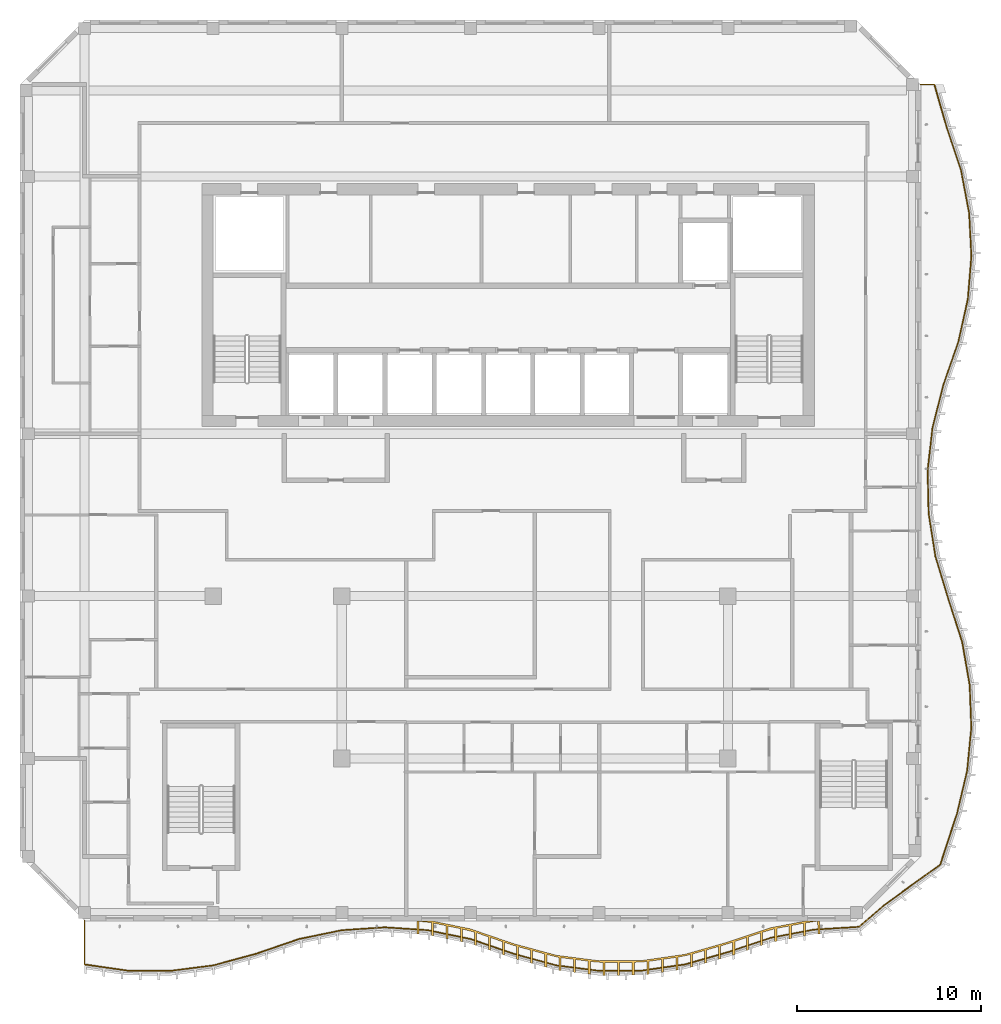
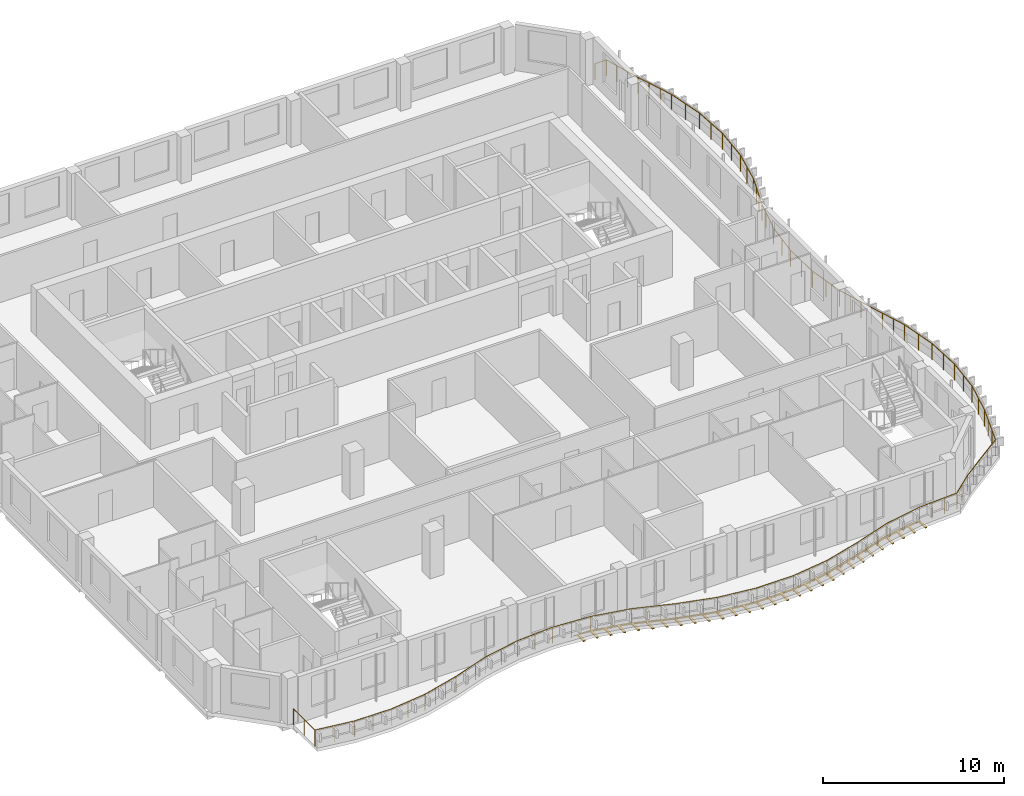
# One storey, part 14 of 17: 1 railing, 1 shading device.
"""IFC4 building model written with IfcOpenShell, lengths in metres."""

import ifcopenshell
import ifcopenshell.guid

model = None  # the IFC model being written
_history = None  # IfcOwnerHistory: only IFC2X3 demands one
_inside = {}  # id of a spatial element -> (the spatial element, [elements in it])
_under = {}  # id of a project, library or spatial element -> (it, [spatial elements below it])
_declared = {}  # id of a project -> (the project, [libraries it declares])
_typed = {}  # id of a type object -> (the type object, [elements of that type])
_made_of = {}  # id of a material, layer set ... -> (it, [elements and type objects made of it])


def new_model(schema):
    """Start an empty IFC model of exactly this schema.

    Asked for "IFC4X3", IfcOpenShell would pick the latest addendum, in which some entities
    have other attributes; the version numbers below select the first issue.
    IFC2X3 requires an IfcOwnerHistory on every rooted entity: one is made here for all.
    """
    global model, _history
    if schema == "IFC4X3":
        model = ifcopenshell.file(schema_version=(4, 3, 0, 0))
    else:
        model = ifcopenshell.file(schema=schema)
    _inside.clear()
    _under.clear()
    _declared.clear()
    _typed.clear()
    _made_of.clear()
    _history = None
    if model.schema == "IFC2X3":
        org = make("IfcOrganization", Name="unknown")
        user = make(
            "IfcPersonAndOrganization",
            ThePerson=make("IfcPerson", FamilyName="unknown"),
            TheOrganization=org,
        )
        app = make(
            "IfcApplication",
            ApplicationDeveloper=org,
            Version="unknown",
            ApplicationFullName="unknown",
            ApplicationIdentifier="unknown",
        )
        _history = make(
            "IfcOwnerHistory",
            OwningUser=user,
            OwningApplication=app,
            ChangeAction="ADDED",
            CreationDate=0,
        )
    return model


def make(cls, **values):
    """One entity of the class cls with the attributes given. An attribute that is None is left unset."""
    return model.create_entity(
        cls, **{name: value for name, value in values.items() if value is not None}
    )


def rooted(cls, **values):
    """An entity with a GlobalId (a new one), such as an element, a storey or a relation."""
    return make(cls, GlobalId=ifcopenshell.guid.new(), OwnerHistory=_history, **values)


def si_unit(unit_type, name, prefix=None):
    """IfcSIUnit, for example si_unit("LENGTHUNIT", "METRE", prefix="MILLI")."""
    return make("IfcSIUnit", UnitType=unit_type, Prefix=prefix, Name=name)


def assignment(units):
    """IfcUnitAssignment: the units of a project."""
    return None if units is None else make("IfcUnitAssignment", Units=units)


def point(xyz):
    """IfcCartesianPoint."""
    return None if xyz is None else make("IfcCartesianPoint", Coordinates=xyz)


def direction(xyz):
    """IfcDirection."""
    return None if xyz is None else make("IfcDirection", DirectionRatios=xyz)


def frame(location, z_axis=None, x_axis=None):
    """IfcAxis2Placement3D, a coordinate frame: its origin and axes. An axis left out is left unset."""
    return make(
        "IfcAxis2Placement3D",
        Location=point(location),
        Axis=direction(z_axis),
        RefDirection=direction(x_axis),
    )


def frame_2d(location, x_axis=None):
    """IfcAxis2Placement2D, a coordinate frame in the plane: its origin and x axis."""
    return make(
        "IfcAxis2Placement2D", Location=point(location), RefDirection=direction(x_axis)
    )


def origin():
    """The frame at (0, 0, 0) with its axes left unset."""
    return frame((0.0, 0.0, 0.0))


def origin_2d():
    """The frame at (0, 0) in the plane with its x axis left unset."""
    return frame_2d((0.0, 0.0))


def place(relative_to, where):
    """IfcLocalPlacement: puts the frame where relative to a parent placement (None: the world)."""
    return make(
        "IfcLocalPlacement", PlacementRelTo=relative_to, RelativePlacement=where
    )


def context(
    kind, dimensions, precision=None, world=None, true_north=None, identifier=None
):
    """IfcGeometricRepresentationContext, for example the 3D "Model" context."""
    return make(
        "IfcGeometricRepresentationContext",
        ContextIdentifier=identifier,
        ContextType=kind,
        CoordinateSpaceDimension=dimensions,
        Precision=precision,
        WorldCoordinateSystem=world,
        TrueNorth=true_north,
    )


def subcontext(parent, identifier, kind, view, scale=None):
    """IfcGeometricRepresentationSubContext, for example "Body" below "Model"."""
    return make(
        "IfcGeometricRepresentationSubContext",
        ContextIdentifier=identifier,
        ContextType=kind,
        ParentContext=parent,
        TargetScale=scale,
        TargetView=view,
    )


def project(units=None, contexts=None):
    """IfcProject with its units and contexts."""
    return rooted(
        "IfcProject",
        Name="project",
        RepresentationContexts=contexts,
        UnitsInContext=assignment(units),
    )


def spatial(cls, under=None, at=None, **own):
    """A site, building, storey or space (cls), placed at a placement, below another one or the project."""
    s = rooted(cls, ObjectPlacement=at, **own)
    if under is not None:
        _under.setdefault(under.id(), (under, []))[1].append(s)
    return s


def polyline(points):
    """IfcPolyline through the points."""
    return make("IfcPolyline", Points=[point(p) for p in points])


def profile(cls, at=None, kind="AREA", **sizes):
    """A parametric profile (cls). Its sizes go by their IFC names, for example OverallWidth=200.0."""
    return make(cls, ProfileType=kind, Position=at, **sizes)


def circle(**sizes):
    """IfcCircleProfileDef."""
    return profile("IfcCircleProfileDef", **sizes)


def outline(outer, holes=None, kind="AREA"):
    """IfcArbitraryClosedProfileDef: a profile drawn as a closed curve; with holes, ...WithVoids."""
    if holes is None:
        return make("IfcArbitraryClosedProfileDef", ProfileType=kind, OuterCurve=outer)
    return make(
        "IfcArbitraryProfileDefWithVoids",
        ProfileType=kind,
        OuterCurve=outer,
        InnerCurves=holes,
    )


def extrude(swept, where, along, depth):
    """IfcExtrudedAreaSolid: the profile swept, set in the frame where, extruded along a direction by depth."""
    return make(
        "IfcExtrudedAreaSolid",
        SweptArea=swept,
        Position=where,
        ExtrudedDirection=direction(along),
        Depth=depth,
    )


def shape(context_of_items, identifier, shape_type, items):
    """IfcShapeRepresentation: the items that make up one representation, for example the "Body"."""
    return make(
        "IfcShapeRepresentation",
        ContextOfItems=context_of_items,
        RepresentationIdentifier=identifier,
        RepresentationType=shape_type,
        Items=items,
    )


def source(mapping_origin, context_of_items, identifier, shape_type, items):
    """IfcRepresentationMap: a shape defined once, which mapped items show again and again."""
    return make(
        "IfcRepresentationMap",
        MappingOrigin=mapping_origin,
        MappedRepresentation=shape(context_of_items, identifier, shape_type, items),
    )


def transform(
    local_origin,
    x_axis=None,
    y_axis=None,
    z_axis=None,
    scale=None,
    scale2=None,
    scale3=None,
    uniform=True,
):
    """IfcCartesianTransformationOperator3D, or its non-uniform kind. x_axis, y_axis, z_axis: its Axis1, 2, 3."""
    if uniform:
        return make(
            "IfcCartesianTransformationOperator3D",
            Axis1=direction(x_axis),
            Axis2=direction(y_axis),
            LocalOrigin=point(local_origin),
            Scale=scale,
            Axis3=direction(z_axis),
        )
    return make(
        "IfcCartesianTransformationOperator3DnonUniform",
        Axis1=direction(x_axis),
        Axis2=direction(y_axis),
        LocalOrigin=point(local_origin),
        Scale=scale,
        Axis3=direction(z_axis),
        Scale2=scale2,
        Scale3=scale3,
    )


def mapped(mapping_source, mapping_target):
    """IfcMappedItem: shows the shape of a source again, moved by a transform."""
    return make(
        "IfcMappedItem", MappingSource=mapping_source, MappingTarget=mapping_target
    )


def material(Name=None, Category=None):
    """IfcMaterial."""
    return make("IfcMaterial", Name=Name, Category=Category)


def layer(
    of_material, thickness, ventilated=None, Name=None, Category=None, Priority=None
):
    """IfcMaterialLayer: one layer of a wall or slab, of a material (None: an air gap)."""
    return make(
        "IfcMaterialLayer",
        Material=of_material,
        LayerThickness=thickness,
        IsVentilated=ventilated,
        Name=Name,
        Category=Category,
        Priority=Priority,
    )


def layer_set(layers, Name=None):
    """IfcMaterialLayerSet."""
    return make("IfcMaterialLayerSet", MaterialLayers=layers, LayerSetName=Name)


def made_of(thing, what):
    """Note that an element or type object is made of a material, layer set ...; save() writes the relation."""
    if what is not None:
        _made_of.setdefault(what.id(), (what, []))[1].append(thing)
    return thing


def type_object(cls, material=None, **own):
    """A type object (cls), such as IfcWallType, which elements share."""
    return made_of(rooted(cls, **own), material)


def element(
    cls,
    number,
    at=None,
    inside=None,
    cuts=None,
    type_object=None,
    material=None,
    context=None,
    identifier="Body",
    shape_type=None,
    held_by="IfcProductDefinitionShape",
    body=None,
    shapes=None,
    **own,
):
    """One element of the class cls, such as IfcWall. Its Tag is "e" and its number.

    at: its placement. inside: the storey or other place that contains it. cuts: it is an
    opening in that element (IfcRelVoidsElement). A single representation is given by context,
    identifier, shape_type and body (its items); several are given by shapes. held_by: the class
    of the entity that holds the representations. save() writes the other relations.
    """
    e = rooted(cls, Tag="e%d" % number, ObjectPlacement=at, **own)
    if body is not None:
        shapes = [shape(context, identifier, shape_type, body)]
    if shapes is not None:
        e.Representation = make(held_by, Representations=shapes)
    if inside is not None:
        _inside.setdefault(inside.id(), (inside, []))[1].append(e)
    if cuts is not None:
        rooted(
            "IfcRelVoidsElement", RelatingBuildingElement=cuts, RelatedOpeningElement=e
        )
    if type_object is not None:
        _typed.setdefault(type_object.id(), (type_object, []))[1].append(e)
    return made_of(e, material)


def aggregate(whole, parts):
    """IfcRelAggregates: a whole, such as a stair, and the parts it consists of."""
    return rooted("IfcRelAggregates", RelatingObject=whole, RelatedObjects=parts)


def save(model, path):
    """Write the relations noted so far, then the file.

    IfcRelAggregates (storeys below a building ...), IfcRelContainedInSpatialStructure (elements
    in a storey), IfcRelDefinesByType, IfcRelAssociatesMaterial and IfcRelDeclares: one each for
    every whole, place, type object, material and project.
    """
    for whole, parts in _under.values():
        aggregate(whole, parts)
    for where, things in _inside.values():
        rooted(
            "IfcRelContainedInSpatialStructure",
            RelatedElements=things,
            RelatingStructure=where,
        )
    for kind, things in _typed.values():
        rooted("IfcRelDefinesByType", RelatedObjects=things, RelatingType=kind)
    for what, things in _made_of.values():
        rooted("IfcRelAssociatesMaterial", RelatedObjects=things, RelatingMaterial=what)
    for by, libraries in _declared.values():
        rooted("IfcRelDeclares", RelatingContext=by, RelatedDefinitions=libraries)
    model.write(path)


model = new_model("IFC4")

# Units and contexts
model_context = context("Model", 3, precision=1e-05, world=origin(), true_north=direction((0.0, 1.0)))
body_context = subcontext(model_context, "Body", "Model", "MODEL_VIEW")
ifc_project = project(units=[si_unit("LENGTHUNIT", "METRE"), si_unit("AREAUNIT", "SQUARE_METRE"), si_unit("VOLUMEUNIT", "CUBIC_METRE"), si_unit("PLANEANGLEUNIT", "RADIAN"), si_unit("MASSUNIT", "GRAM", prefix="KILO")], contexts=[model_context])

# Site, building, storey
site_placement = place(None, origin())
site = spatial("IfcSite", under=ifc_project, at=site_placement, CompositionType="ELEMENT")
building_placement = place(site_placement, origin())
building = spatial("IfcBuilding", under=site, at=building_placement, Name="Kilnfold Tower and Market Hall", CompositionType="ELEMENT")
storey_placement = place(building_placement, frame((0.0, 0.0, 273.800048828125)))
storey = spatial("IfcBuildingStorey", under=building, at=storey_placement, Name="L67", CompositionType="ELEMENT", Elevation=273.800048828125)

# Railing
ifc_material_1 = material(Name="Stainless steel and laminated glass", Category="steel")
railing_type = type_object("IfcRailingType", Name="GUARD 1100", PredefinedType="GUARDRAIL", material=ifc_material_1)
railing_placement = place(storey_placement, frame((-22.0, -18.5, 0.0)))
element("IfcRailing", 1, at=railing_placement, inside=storey, type_object=railing_type, Name="Guard balcony L67", PredefinedType="GUARDRAIL", context=body_context, shape_type="SweptSolid", body=[
    extrude(circle(Radius=0.02490234375, at=origin_2d()), frame((0.0, 0.0, 1.0751953125), z_axis=(0.0, -1.0, 0.0), x_axis=(1.0, 0.0, 0.0)), (0.0, 0.0, 1.0), 2.367431640625),
    extrude(circle(Radius=0.02490234375, at=origin_2d()), frame((0.0, -2.367431640625, 1.0751953125), z_axis=(0.989895561273, -0.141798370135, 0.0), x_axis=(0.141798370135, 0.989895561273, 0.0)), (0.0, 0.0, 1.0), 2.357177734375),
    extrude(circle(Radius=0.02490234375, at=origin_2d()), frame((2.333251953125, -2.70166015625, 1.0751953125), z_axis=(0.999971628489, -0.007532742964, 0.0), x_axis=(0.007532742964, 0.999971628489, 0.0)), (0.0, 0.0, 1.0), 2.33349609375),
    extrude(circle(Radius=0.02490234375, at=origin_2d()), frame((4.666748046875, -2.71923828125, 1.0751953125), z_axis=(0.99192423952, 0.126831790383, 0.0), x_axis=(-0.126831790383, 0.99192423952, 0.0)), (0.0, 0.0, 1.0), 2.352294921875),
    extrude(circle(Radius=0.02490234375, at=origin_2d()), frame((7.0, -2.4208984375, 1.0751953125), z_axis=(0.965337259398, 0.261005700354, 0.0), x_axis=(-0.261005700354, 0.965337259398, 0.0)), (0.0, 0.0, 1.0), 2.4169921875),
    extrude(circle(Radius=0.02490234375, at=origin_2d()), frame((9.333251953125, -1.7900390625, 1.0751953125), z_axis=(0.945673291231, 0.325118480329, 0.0), x_axis=(-0.325118480329, 0.945673291231, 0.0)), (0.0, 0.0, 1.0), 2.467529296875),
    extrude(circle(Radius=0.02490234375, at=origin_2d()), frame((11.666748046875, -0.98779296875, 1.0751953125), z_axis=(0.979469543954, 0.201592193466, 0.0), x_axis=(-0.201592193466, 0.979469543954, 0.0)), (0.0, 0.0, 1.0), 2.382080078125),
    extrude(circle(Radius=0.02490234375, at=origin_2d()), frame((14.0, -0.507568359375, 1.0751953125), z_axis=(0.99773031424, 0.06733661742, 0.0), x_axis=(-0.06733661742, 0.99773031424, 0.0)), (0.0, 0.0, 1.0), 2.338623046875),
    extrude(circle(Radius=0.02490234375, at=origin_2d()), frame((16.333251953125, -0.35009765625, 1.0751953125), z_axis=(0.997765715392, -0.066810008145, 0.0), x_axis=(0.066810008145, 0.997765715392, 0.0)), (0.0, 0.0, 1.0), 2.338623046875),
    extrude(circle(Radius=0.02490234375, at=origin_2d()), frame((18.666748046875, -0.50634765625, 1.0751953125), z_axis=(0.979550417404, -0.201198856269, 0.0), x_axis=(0.201198856269, 0.979550417404, 0.0)), (0.0, 0.0, 1.0), 2.382080078125),
    extrude(circle(Radius=0.02490234375, at=origin_2d()), frame((21.0, -0.985595703125, 1.0751953125), z_axis=(0.945754078671, -0.324883398585, 0.0), x_axis=(0.324883398585, 0.945754078671, 0.0)), (0.0, 0.0, 1.0), 2.467041015625),
    extrude(circle(Radius=0.02490234375, at=origin_2d()), frame((23.333251953125, -1.787109375, 1.0751953125), z_axis=(0.965216815859, -0.261450757089, 0.0), x_axis=(0.261450757089, 0.965216815859, 0.0)), (0.0, 0.0, 1.0), 2.41748046875),
    extrude(circle(Radius=0.02490234375, at=origin_2d()), frame((25.666748046875, -2.419189453125, 1.0751953125), z_axis=(0.991871927753, -0.12724024102, 0.0), x_axis=(0.12724024102, 0.991871927753, 0.0)), (0.0, 0.0, 1.0), 2.352294921875),
    extrude(circle(Radius=0.02490234375, at=origin_2d()), frame((28.0, -2.718505859375, 1.0751953125), z_axis=(0.999976154899, 0.006905768151, 0.0), x_axis=(-0.006905768151, 0.999976154899, 0.0)), (0.0, 0.0, 1.0), 2.333251953125),
    extrude(circle(Radius=0.02490234375, at=origin_2d()), frame((30.333251953125, -2.702392578125, 1.0751953125), z_axis=(0.989970198048, 0.141276349669, 0.0), x_axis=(-0.141276349669, 0.989970198048, 0.0)), (0.0, 0.0, 1.0), 2.357177734375),
    extrude(circle(Radius=0.02490234375, at=origin_2d()), frame((32.666748046875, -2.369384765625, 1.0751953125), z_axis=(0.961273038942, 0.275597794988, 0.0), x_axis=(-0.275597794988, 0.961273038942, 0.0)), (0.0, 0.0, 1.0), 2.42724609375),
    extrude(circle(Radius=0.02490234375, at=origin_2d()), frame((35.0, -1.700439453125, 1.0751953125), z_axis=(0.948315517581, 0.317328976167, 0.0), x_axis=(-0.317328976167, 0.948315517581, 0.0)), (0.0, 0.0, 1.0), 2.46044921875),
    extrude(circle(Radius=0.02490234375, at=origin_2d()), frame((37.333251953125, -0.919677734375, 1.0751953125), z_axis=(0.982349359821, 0.187055433655, 0.0), x_axis=(-0.187055433655, 0.982349359821, 0.0)), (0.0, 0.0, 1.0), 2.37548828125),
    extrude(circle(Radius=0.02490234375, at=origin_2d()), frame((39.666748046875, -0.475341796875, 1.0751953125), z_axis=(0.998148203241, 0.060828976375, 0.0), x_axis=(-0.060828976375, 0.998148203241, 0.0)), (0.0, 0.0, 1.0), 2.472412109375),
    extrude(circle(Radius=0.02490234375, at=origin_2d()), frame((42.134521484375, -0.324951171875, 1.0751953125), z_axis=(0.756166085744, 0.654379745079, 0.0), x_axis=(-0.654379745079, 0.756166085744, 0.0)), (0.0, 0.0, 1.0), 1.789306640625),
    extrude(circle(Radius=0.02490234375, at=origin_2d()), frame((43.487548828125, 0.845947265625, 1.0751953125), z_axis=(0.809045692542, 0.587745750626, 0.0), x_axis=(-0.587745750626, 0.809045692542, 0.0)), (0.0, 0.0, 1.0), 1.670166015625),
    extrude(circle(Radius=0.02490234375, at=origin_2d()), frame((44.8388671875, 1.82763671875, 1.0751953125), z_axis=(0.81192818967, 0.583757325281, 0.0), x_axis=(-0.583757325281, 0.81192818967, 0.0)), (0.0, 0.0, 1.0), 2.115478515625),
    extrude(circle(Radius=0.02490234375, at=origin_2d()), frame((46.556396484375, 3.0625, 1.0751953125), z_axis=(0.311098196184, 0.950377773483, 0.0), x_axis=(-0.950377773483, 0.311098196184, 0.0)), (0.0, 0.0, 1.0), 2.91552734375),
    extrude(circle(Radius=0.02490234375, at=origin_2d()), frame((47.46337890625, 5.833251953125, 1.0751953125), z_axis=(0.230684535905, 0.973028594078, 0.0), x_axis=(-0.973028594078, 0.230684535905, 0.0)), (0.0, 0.0, 1.0), 2.398193359375),
    extrude(circle(Radius=0.02490234375, at=origin_2d()), frame((48.0166015625, 8.166748046875, 1.0751953125), z_axis=(0.09644068921, 0.995338733027, 0.0), x_axis=(-0.995338733027, 0.09644068921, 0.0)), (0.0, 0.0, 1.0), 2.34423828125),
    extrude(circle(Radius=0.02490234375, at=origin_2d()), frame((48.24267578125, 10.5, 1.0751953125), z_axis=(-0.037850851806, 0.999283399751, 0.0), x_axis=(-0.999283399751, -0.037850851806, 0.0)), (0.0, 0.0, 1.0), 2.3349609375),
    extrude(circle(Radius=0.02490234375, at=origin_2d()), frame((48.154296875, 12.833251953125, 1.0751953125), z_axis=(-0.172115324053, 0.985076806765, 0.0), x_axis=(-0.985076806765, -0.172115324053, 0.0)), (0.0, 0.0, 1.0), 2.368896484375),
    extrude(circle(Radius=0.02490234375, at=origin_2d()), frame((47.74658203125, 15.166748046875, 1.0751953125), z_axis=(-0.305928563149, 0.952054470211, 0.0), x_axis=(-0.952054470211, -0.305928563149, 0.0)), (0.0, 0.0, 1.0), 2.45068359375),
    extrude(circle(Radius=0.02490234375, at=origin_2d()), frame((46.996826171875, 17.5, 1.0751953125), z_axis=(-0.290551994685, 0.9568592051, 0.0), x_axis=(-0.9568592051, -0.290551994685, 0.0)), (0.0, 0.0, 1.0), 2.4384765625),
    extrude(circle(Radius=0.02490234375, at=origin_2d()), frame((46.288330078125, 19.833251953125, 1.0751953125), z_axis=(-0.156249124184, 0.987717677878, 0.0), x_axis=(-0.987717677878, -0.156249124184, 0.0)), (0.0, 0.0, 1.0), 2.362548828125),
    extrude(circle(Radius=0.02490234375, at=origin_2d()), frame((45.919189453125, 22.166748046875, 1.0751953125), z_axis=(-0.022072679063, 0.999756368741, 0.0), x_axis=(-0.999756368741, -0.022072679063, 0.0)), (0.0, 0.0, 1.0), 2.333740234375),
    extrude(circle(Radius=0.02490234375, at=origin_2d()), frame((45.86767578125, 24.5, 1.0751953125), z_axis=(0.112188780703, 0.993686911197, 0.0), x_axis=(-0.993686911197, 0.112188780703, 0.0)), (0.0, 0.0, 1.0), 2.34814453125),
    extrude(circle(Radius=0.02490234375, at=origin_2d()), frame((46.131103515625, 26.833251953125, 1.0751953125), z_axis=(0.246494018044, 0.969144312819, 0.0), x_axis=(-0.969144312819, 0.246494018044, 0.0)), (0.0, 0.0, 1.0), 2.40771484375),
    extrude(circle(Radius=0.02490234375, at=origin_2d()), frame((46.724609375, 29.166748046875, 1.0751953125), z_axis=(0.329826773336, 0.94404147133, 0.0), x_axis=(-0.94404147133, 0.329826773336, 0.0)), (0.0, 0.0, 1.0), 2.471435546875),
    extrude(circle(Radius=0.02490234375, at=origin_2d()), frame((47.539794921875, 31.5, 1.0751953125), z_axis=(0.216173197439, 0.976355032101, 0.0), x_axis=(-0.976355032101, 0.216173197439, 0.0)), (0.0, 0.0, 1.0), 2.3896484375),
    extrude(circle(Radius=0.02490234375, at=origin_2d()), frame((48.056396484375, 33.833251953125, 1.0751953125), z_axis=(0.081854547458, 0.996644286122, 0.0), x_axis=(-0.996644286122, 0.081854547458, 0.0)), (0.0, 0.0, 1.0), 2.34130859375),
    extrude(circle(Radius=0.02490234375, at=origin_2d()), frame((48.248046875, 36.166748046875, 1.0751953125), z_axis=(-0.052350425547, 0.998628776345, 0.0), x_axis=(-0.998628776345, -0.052350425547, 0.0)), (0.0, 0.0, 1.0), 2.33642578125),
    extrude(circle(Radius=0.02490234375, at=origin_2d()), frame((48.125732421875, 38.5, 1.0751953125), z_axis=(-0.186578295678, 0.982440094653, 0.0), x_axis=(-0.982440094653, -0.186578295678, 0.0)), (0.0, 0.0, 1.0), 2.375),
    extrude(circle(Radius=0.02490234375, at=origin_2d()), frame((47.6826171875, 40.833251953125, 1.0751953125), z_axis=(-0.317031394089, 0.948415043724, 0.0), x_axis=(-0.948415043724, -0.317031394089, 0.0)), (0.0, 0.0, 1.0), 2.46044921875),
    extrude(circle(Radius=0.02490234375, at=origin_2d()), frame((46.902587890625, 43.166748046875, 1.0751953125), z_axis=(-0.276062415489, 0.96113971032, 0.0), x_axis=(-0.96113971032, -0.276062415489, 0.0)), (0.0, 0.0, 1.0), 2.427490234375),
    extrude(circle(Radius=0.02490234375, at=origin_2d()), frame((46.232421875, 45.5, 1.0751953125), z_axis=(-1.0, 0.0, 0.0), x_axis=(0.0, -1.0, 0.0)), (0.0, 0.0, 1.0), 0.732421875),
    extrude(circle(Radius=0.02490234375, at=origin_2d()), origin(), (0.0, 0.0, 1.0), 1.050048828125),
    extrude(circle(Radius=0.02490234375, at=origin_2d()), frame((0.0, -1.18359375, 0.0)), (0.0, 0.0, 1.0), 1.050048828125),
    extrude(circle(Radius=0.02490234375, at=origin_2d()), frame((0.0, -2.367431640625, 0.0)), (0.0, 0.0, 1.0), 1.050048828125),
    extrude(circle(Radius=0.02490234375, at=origin_2d()), frame((1.16650390625, -2.53466796875, 0.0)), (0.0, 0.0, 1.0), 1.050048828125),
    extrude(circle(Radius=0.02490234375, at=origin_2d()), frame((2.333251953125, -2.70166015625, 0.0)), (0.0, 0.0, 1.0), 1.050048828125),
    extrude(circle(Radius=0.02490234375, at=origin_2d()), frame((3.5, -2.71044921875, 0.0)), (0.0, 0.0, 1.0), 1.050048828125),
    extrude(circle(Radius=0.02490234375, at=origin_2d()), frame((4.666748046875, -2.71923828125, 0.0)), (0.0, 0.0, 1.0), 1.050048828125),
    extrude(circle(Radius=0.02490234375, at=origin_2d()), frame((5.83349609375, -2.570068359375, 0.0)), (0.0, 0.0, 1.0), 1.050048828125),
    extrude(circle(Radius=0.02490234375, at=origin_2d()), frame((7.0, -2.4208984375, 0.0)), (0.0, 0.0, 1.0), 1.050048828125),
    extrude(circle(Radius=0.02490234375, at=origin_2d()), frame((7.77783203125, -2.210693359375, 0.0)), (0.0, 0.0, 1.0), 1.050048828125),
    extrude(circle(Radius=0.02490234375, at=origin_2d()), frame((8.555419921875, -2.000244140625, 0.0)), (0.0, 0.0, 1.0), 1.050048828125),
    extrude(circle(Radius=0.02490234375, at=origin_2d()), frame((9.333251953125, -1.7900390625, 0.0)), (0.0, 0.0, 1.0), 1.050048828125),
    extrude(circle(Radius=0.02490234375, at=origin_2d()), frame((10.111083984375, -1.522705078125, 0.0)), (0.0, 0.0, 1.0), 1.050048828125),
    extrude(circle(Radius=0.02490234375, at=origin_2d()), frame((10.888916015625, -1.255126953125, 0.0)), (0.0, 0.0, 1.0), 1.050048828125),
    extrude(circle(Radius=0.02490234375, at=origin_2d()), frame((11.666748046875, -0.98779296875, 0.0)), (0.0, 0.0, 1.0), 1.050048828125),
    extrude(circle(Radius=0.02490234375, at=origin_2d()), frame((12.83349609375, -0.74755859375, 0.0)), (0.0, 0.0, 1.0), 1.050048828125),
    extrude(circle(Radius=0.02490234375, at=origin_2d()), frame((14.0, -0.507568359375, 0.0)), (0.0, 0.0, 1.0), 1.050048828125),
    extrude(circle(Radius=0.02490234375, at=origin_2d()), frame((15.16650390625, -0.4287109375, 0.0)), (0.0, 0.0, 1.0), 1.050048828125),
    extrude(circle(Radius=0.02490234375, at=origin_2d()), frame((16.333251953125, -0.35009765625, 0.0)), (0.0, 0.0, 1.0), 1.050048828125),
    extrude(circle(Radius=0.02490234375, at=origin_2d()), frame((17.5, -0.42822265625, 0.0)), (0.0, 0.0, 1.0), 1.050048828125),
    extrude(circle(Radius=0.02490234375, at=origin_2d()), frame((18.666748046875, -0.50634765625, 0.0)), (0.0, 0.0, 1.0), 1.050048828125),
    extrude(circle(Radius=0.02490234375, at=origin_2d()), frame((19.83349609375, -0.74609375, 0.0)), (0.0, 0.0, 1.0), 1.050048828125),
    extrude(circle(Radius=0.02490234375, at=origin_2d()), frame((21.0, -0.985595703125, 0.0)), (0.0, 0.0, 1.0), 1.050048828125),
    extrude(circle(Radius=0.02490234375, at=origin_2d()), frame((21.77783203125, -1.252685546875, 0.0)), (0.0, 0.0, 1.0), 1.050048828125),
    extrude(circle(Radius=0.02490234375, at=origin_2d()), frame((22.555419921875, -1.52001953125, 0.0)), (0.0, 0.0, 1.0), 1.050048828125),
    extrude(circle(Radius=0.02490234375, at=origin_2d()), frame((23.333251953125, -1.787109375, 0.0)), (0.0, 0.0, 1.0), 1.050048828125),
    extrude(circle(Radius=0.02490234375, at=origin_2d()), frame((24.111083984375, -1.997802734375, 0.0)), (0.0, 0.0, 1.0), 1.050048828125),
    extrude(circle(Radius=0.02490234375, at=origin_2d()), frame((24.888916015625, -2.20849609375, 0.0)), (0.0, 0.0, 1.0), 1.050048828125),
    extrude(circle(Radius=0.02490234375, at=origin_2d()), frame((25.666748046875, -2.419189453125, 0.0)), (0.0, 0.0, 1.0), 1.050048828125),
    extrude(circle(Radius=0.02490234375, at=origin_2d()), frame((26.83349609375, -2.56884765625, 0.0)), (0.0, 0.0, 1.0), 1.050048828125),
    extrude(circle(Radius=0.02490234375, at=origin_2d()), frame((28.0, -2.718505859375, 0.0)), (0.0, 0.0, 1.0), 1.050048828125),
    extrude(circle(Radius=0.02490234375, at=origin_2d()), frame((29.16650390625, -2.71044921875, 0.0)), (0.0, 0.0, 1.0), 1.050048828125),
    extrude(circle(Radius=0.02490234375, at=origin_2d()), frame((30.333251953125, -2.702392578125, 0.0)), (0.0, 0.0, 1.0), 1.050048828125),
    extrude(circle(Radius=0.02490234375, at=origin_2d()), frame((31.5, -2.535888671875, 0.0)), (0.0, 0.0, 1.0), 1.050048828125),
    extrude(circle(Radius=0.02490234375, at=origin_2d()), frame((32.666748046875, -2.369384765625, 0.0)), (0.0, 0.0, 1.0), 1.050048828125),
    extrude(circle(Radius=0.02490234375, at=origin_2d()), frame((33.444580078125, -2.146484375, 0.0)), (0.0, 0.0, 1.0), 1.050048828125),
    extrude(circle(Radius=0.02490234375, at=origin_2d()), frame((34.22216796875, -1.92333984375, 0.0)), (0.0, 0.0, 1.0), 1.050048828125),
    extrude(circle(Radius=0.02490234375, at=origin_2d()), frame((35.0, -1.700439453125, 0.0)), (0.0, 0.0, 1.0), 1.050048828125),
    extrude(circle(Radius=0.02490234375, at=origin_2d()), frame((35.77783203125, -1.440185546875, 0.0)), (0.0, 0.0, 1.0), 1.050048828125),
    extrude(circle(Radius=0.02490234375, at=origin_2d()), frame((36.555419921875, -1.179931640625, 0.0)), (0.0, 0.0, 1.0), 1.050048828125),
    extrude(circle(Radius=0.02490234375, at=origin_2d()), frame((37.333251953125, -0.919677734375, 0.0)), (0.0, 0.0, 1.0), 1.050048828125),
    extrude(circle(Radius=0.02490234375, at=origin_2d()), frame((38.5, -0.697509765625, 0.0)), (0.0, 0.0, 1.0), 1.050048828125),
    extrude(circle(Radius=0.02490234375, at=origin_2d()), frame((39.666748046875, -0.475341796875, 0.0)), (0.0, 0.0, 1.0), 1.050048828125),
    extrude(circle(Radius=0.02490234375, at=origin_2d()), frame((40.4892578125, -0.42529296875, 0.0)), (0.0, 0.0, 1.0), 1.050048828125),
    extrude(circle(Radius=0.02490234375, at=origin_2d()), frame((41.31201171875, -0.375, 0.0)), (0.0, 0.0, 1.0), 1.050048828125),
    extrude(circle(Radius=0.02490234375, at=origin_2d()), frame((42.134521484375, -0.324951171875, 0.0)), (0.0, 0.0, 1.0), 1.050048828125),
    extrude(circle(Radius=0.02490234375, at=origin_2d()), frame((42.81103515625, 0.260498046875, 0.0)), (0.0, 0.0, 1.0), 1.050048828125),
    extrude(circle(Radius=0.02490234375, at=origin_2d()), frame((43.487548828125, 0.845947265625, 0.0)), (0.0, 0.0, 1.0), 1.050048828125),
    extrude(circle(Radius=0.02490234375, at=origin_2d()), frame((44.1630859375, 1.3369140625, 0.0)), (0.0, 0.0, 1.0), 1.050048828125),
    extrude(circle(Radius=0.02490234375, at=origin_2d()), frame((44.8388671875, 1.82763671875, 0.0)), (0.0, 0.0, 1.0), 1.050048828125),
    extrude(circle(Radius=0.02490234375, at=origin_2d()), frame((45.69775390625, 2.445068359375, 0.0)), (0.0, 0.0, 1.0), 1.050048828125),
    extrude(circle(Radius=0.02490234375, at=origin_2d()), frame((46.556396484375, 3.0625, 0.0)), (0.0, 0.0, 1.0), 1.050048828125),
    extrude(circle(Radius=0.02490234375, at=origin_2d()), frame((46.858642578125, 3.986083984375, 0.0)), (0.0, 0.0, 1.0), 1.050048828125),
    extrude(circle(Radius=0.02490234375, at=origin_2d()), frame((47.1611328125, 4.90966796875, 0.0)), (0.0, 0.0, 1.0), 1.050048828125),
    extrude(circle(Radius=0.02490234375, at=origin_2d()), frame((47.46337890625, 5.833251953125, 0.0)), (0.0, 0.0, 1.0), 1.050048828125),
    extrude(circle(Radius=0.02490234375, at=origin_2d()), frame((47.739990234375, 7.0, 0.0)), (0.0, 0.0, 1.0), 1.050048828125),
    extrude(circle(Radius=0.02490234375, at=origin_2d()), frame((48.0166015625, 8.166748046875, 0.0)), (0.0, 0.0, 1.0), 1.050048828125),
    extrude(circle(Radius=0.02490234375, at=origin_2d()), frame((48.129638671875, 9.33349609375, 0.0)), (0.0, 0.0, 1.0), 1.050048828125),
    extrude(circle(Radius=0.02490234375, at=origin_2d()), frame((48.24267578125, 10.5, 0.0)), (0.0, 0.0, 1.0), 1.050048828125),
    extrude(circle(Radius=0.02490234375, at=origin_2d()), frame((48.198486328125, 11.66650390625, 0.0)), (0.0, 0.0, 1.0), 1.050048828125),
    extrude(circle(Radius=0.02490234375, at=origin_2d()), frame((48.154296875, 12.833251953125, 0.0)), (0.0, 0.0, 1.0), 1.050048828125),
    extrude(circle(Radius=0.02490234375, at=origin_2d()), frame((47.950439453125, 14.0, 0.0)), (0.0, 0.0, 1.0), 1.050048828125),
    extrude(circle(Radius=0.02490234375, at=origin_2d()), frame((47.74658203125, 15.166748046875, 0.0)), (0.0, 0.0, 1.0), 1.050048828125),
    extrude(circle(Radius=0.02490234375, at=origin_2d()), frame((47.49658203125, 15.944580078125, 0.0)), (0.0, 0.0, 1.0), 1.050048828125),
    extrude(circle(Radius=0.02490234375, at=origin_2d()), frame((47.246826171875, 16.72216796875, 0.0)), (0.0, 0.0, 1.0), 1.050048828125),
    extrude(circle(Radius=0.02490234375, at=origin_2d()), frame((46.996826171875, 17.5, 0.0)), (0.0, 0.0, 1.0), 1.050048828125),
    extrude(circle(Radius=0.02490234375, at=origin_2d()), frame((46.7607421875, 18.27783203125, 0.0)), (0.0, 0.0, 1.0), 1.050048828125),
    extrude(circle(Radius=0.02490234375, at=origin_2d()), frame((46.5244140625, 19.055419921875, 0.0)), (0.0, 0.0, 1.0), 1.050048828125),
    extrude(circle(Radius=0.02490234375, at=origin_2d()), frame((46.288330078125, 19.833251953125, 0.0)), (0.0, 0.0, 1.0), 1.050048828125),
    extrude(circle(Radius=0.02490234375, at=origin_2d()), frame((46.103759765625, 21.0, 0.0)), (0.0, 0.0, 1.0), 1.050048828125),
    extrude(circle(Radius=0.02490234375, at=origin_2d()), frame((45.919189453125, 22.166748046875, 0.0)), (0.0, 0.0, 1.0), 1.050048828125),
    extrude(circle(Radius=0.02490234375, at=origin_2d()), frame((45.8935546875, 23.33349609375, 0.0)), (0.0, 0.0, 1.0), 1.050048828125),
    extrude(circle(Radius=0.02490234375, at=origin_2d()), frame((45.86767578125, 24.5, 0.0)), (0.0, 0.0, 1.0), 1.050048828125),
    extrude(circle(Radius=0.02490234375, at=origin_2d()), frame((45.99951171875, 25.66650390625, 0.0)), (0.0, 0.0, 1.0), 1.050048828125),
    extrude(circle(Radius=0.02490234375, at=origin_2d()), frame((46.131103515625, 26.833251953125, 0.0)), (0.0, 0.0, 1.0), 1.050048828125),
    extrude(circle(Radius=0.02490234375, at=origin_2d()), frame((46.328857421875, 27.611083984375, 0.0)), (0.0, 0.0, 1.0), 1.050048828125),
    extrude(circle(Radius=0.02490234375, at=origin_2d()), frame((46.52685546875, 28.388916015625, 0.0)), (0.0, 0.0, 1.0), 1.050048828125),
    extrude(circle(Radius=0.02490234375, at=origin_2d()), frame((46.724609375, 29.166748046875, 0.0)), (0.0, 0.0, 1.0), 1.050048828125),
    extrude(circle(Radius=0.02490234375, at=origin_2d()), frame((46.996337890625, 29.944580078125, 0.0)), (0.0, 0.0, 1.0), 1.050048828125),
    extrude(circle(Radius=0.02490234375, at=origin_2d()), frame((47.26806640625, 30.72216796875, 0.0)), (0.0, 0.0, 1.0), 1.050048828125),
    extrude(circle(Radius=0.02490234375, at=origin_2d()), frame((47.539794921875, 31.5, 0.0)), (0.0, 0.0, 1.0), 1.050048828125),
    extrude(circle(Radius=0.02490234375, at=origin_2d()), frame((47.798095703125, 32.66650390625, 0.0)), (0.0, 0.0, 1.0), 1.050048828125),
    extrude(circle(Radius=0.02490234375, at=origin_2d()), frame((48.056396484375, 33.833251953125, 0.0)), (0.0, 0.0, 1.0), 1.050048828125),
    extrude(circle(Radius=0.02490234375, at=origin_2d()), frame((48.15234375, 35.0, 0.0)), (0.0, 0.0, 1.0), 1.050048828125),
    extrude(circle(Radius=0.02490234375, at=origin_2d()), frame((48.248046875, 36.166748046875, 0.0)), (0.0, 0.0, 1.0), 1.050048828125),
    extrude(circle(Radius=0.02490234375, at=origin_2d()), frame((48.18701171875, 37.33349609375, 0.0)), (0.0, 0.0, 1.0), 1.050048828125),
    extrude(circle(Radius=0.02490234375, at=origin_2d()), frame((48.125732421875, 38.5, 0.0)), (0.0, 0.0, 1.0), 1.050048828125),
    extrude(circle(Radius=0.02490234375, at=origin_2d()), frame((47.904296875, 39.66650390625, 0.0)), (0.0, 0.0, 1.0), 1.050048828125),
    extrude(circle(Radius=0.02490234375, at=origin_2d()), frame((47.6826171875, 40.833251953125, 0.0)), (0.0, 0.0, 1.0), 1.050048828125),
    extrude(circle(Radius=0.02490234375, at=origin_2d()), frame((47.422607421875, 41.611083984375, 0.0)), (0.0, 0.0, 1.0), 1.050048828125),
    extrude(circle(Radius=0.02490234375, at=origin_2d()), frame((47.16259765625, 42.388916015625, 0.0)), (0.0, 0.0, 1.0), 1.050048828125),
    extrude(circle(Radius=0.02490234375, at=origin_2d()), frame((46.902587890625, 43.166748046875, 0.0)), (0.0, 0.0, 1.0), 1.050048828125),
    extrude(circle(Radius=0.02490234375, at=origin_2d()), frame((46.67919921875, 43.944580078125, 0.0)), (0.0, 0.0, 1.0), 1.050048828125),
    extrude(circle(Radius=0.02490234375, at=origin_2d()), frame((46.455810546875, 44.72216796875, 0.0)), (0.0, 0.0, 1.0), 1.050048828125),
    extrude(circle(Radius=0.02490234375, at=origin_2d()), frame((46.232421875, 45.5, 0.0)), (0.0, 0.0, 1.0), 1.050048828125),
    extrude(circle(Radius=0.02490234375, at=origin_2d()), frame((45.5, 45.5, 0.0)), (0.0, 0.0, 1.0), 1.050048828125),
])

# Shading device
ifc_material_2 = material(Name="Bronze anodised aluminium", Category="aluminium")
ifc_layer = layer(ifc_material_2, 0.080078125)
ifc_layer_set = layer_set([ifc_layer], Name="Bronze anodised aluminium")
shading_device_type = type_object("IfcShadingDeviceType", Name="BRONZE SLAT SOFFIT 80", PredefinedType="USERDEFINED", material=ifc_layer_set)
shared_shape = source(origin(), body_context, "Body", "SweptSolid", [
    extrude(outline(polyline([(-1.0, -18.935546875), (1.333251953125, -19.737060546875), (3.666748046875, -20.369384765625), (6.0, -20.668701171875), (8.333251953125, -20.65234375), (10.666748046875, -20.3193359375), (13.0, -19.650390625), (15.333251953125, -18.86962890625), (17.2744140625, -18.5), (18.030517578125, -18.5), (17.988525390625, -18.502685546875), (18.026611328125, -19.201416015625), (17.90673828125, -19.20947265625), (17.881591796875, -18.510009765625), (17.235107421875, -18.607421875), (17.235107421875, -19.3076171875), (17.1171875, -19.330078125), (17.1171875, -18.6298828125), (16.44921875, -18.757080078125), (16.44921875, -19.457275390625), (16.331298828125, -19.4794921875), (16.331298828125, -18.779541015625), (15.663330078125, -18.90673828125), (15.663330078125, -19.606689453125), (15.54541015625, -19.62939453125), (15.54541015625, -18.92919921875), (14.893310546875, -19.116943359375), (14.893310546875, -19.81689453125), (14.779296875, -19.85498046875), (14.779296875, -19.155029296875), (14.134521484375, -19.370849609375), (14.134521484375, -20.07080078125), (14.020751953125, -20.10888671875), (14.020751953125, -19.408935546875), (13.3759765625, -19.624755859375), (13.3759765625, -20.32470703125), (13.26220703125, -20.36279296875), (13.26220703125, -19.662841796875), (12.612060546875, -19.86181640625), (12.612060546875, -20.561767578125), (12.49658203125, -20.5947265625), (12.49658203125, -19.894775390625), (11.843017578125, -20.08203125), (11.843017578125, -20.781982421875), (11.727783203125, -20.815185546875), (11.727783203125, -20.115234375), (11.073974609375, -20.302490234375), (11.073974609375, -21.002685546875), (10.95849609375, -21.03564453125), (10.95849609375, -20.335693359375), (10.294189453125, -20.472412109375), (10.294189453125, -21.172607421875), (10.17529296875, -21.189453125), (10.17529296875, -20.489501953125), (9.502197265625, -20.58544921875), (9.502197265625, -21.285400390625), (9.38330078125, -21.302490234375), (9.38330078125, -20.602294921875), (8.710205078125, -20.698486328125), (8.710205078125, -21.3984375), (8.59130859375, -21.41552734375), (8.59130859375, -20.715576171875), (7.9140625, -20.755126953125), (7.9140625, -21.455078125), (7.7939453125, -21.4560546875), (7.7939453125, -20.756103515625), (7.114013671875, -20.7607421875), (7.114013671875, -21.460693359375), (6.993896484375, -21.461669921875), (6.993896484375, -20.76171875), (6.314208984375, -20.766357421875), (6.314208984375, -21.46630859375), (6.194091796875, -21.46728515625), (6.194091796875, -20.76708984375), (5.51806640625, -20.706787109375), (5.51806640625, -21.40673828125), (5.39892578125, -21.3916015625), (5.39892578125, -20.69140625), (4.724609375, -20.60498046875), (4.724609375, -21.304931640625), (4.60546875, -21.289794921875), (4.60546875, -20.589599609375), (3.930908203125, -20.503173828125), (3.930908203125, -21.203125), (3.81201171875, -21.18798828125), (3.81201171875, -20.48779296875), (3.15185546875, -20.329833984375), (3.15185546875, -21.02978515625), (3.035888671875, -20.998291015625), (3.035888671875, -20.29833984375), (2.379638671875, -20.12060546875), (2.379638671875, -20.820556640625), (2.263916015625, -20.789306640625), (2.263916015625, -20.089111328125), (1.607421875, -19.911376953125), (1.607421875, -20.611328125), (1.49169921875, -20.580078125), (1.49169921875, -19.8798828125), (0.84521484375, -19.66943359375), (0.84521484375, -20.369384765625), (0.731689453125, -20.33056640625), (0.731689453125, -19.630615234375), (0.088623046875, -19.409423828125), (0.088623046875, -20.109619140625), (-0.02490234375, -20.070556640625), (-0.02490234375, -19.37060546875), (-0.66796875, -19.149658203125), (-0.66796875, -19.849609375), (-0.781494140625, -19.810546875), (-0.781494140625, -19.110595703125), (-1.439697265625, -18.9453125), (-1.439697265625, -19.645263671875), (-1.55712890625, -19.62109375), (-1.55712890625, -18.921142578125), (-2.223388671875, -18.7841796875), (-2.223388671875, -19.484375), (-2.3408203125, -19.460205078125), (-2.3408203125, -18.76025390625), (-3.007080078125, -18.623291015625), (-3.007080078125, -19.323486328125), (-3.12451171875, -19.29931640625), (-3.12451171875, -18.599365234375), (-3.799072265625, -18.525146484375), (-3.799072265625, -19.22509765625), (-3.918701171875, -19.21728515625), (-3.918701171875, -18.51708984375), (-4.1748046875, -18.5), (-3.12109375, -18.5), (-1.0, -18.935546875)])), origin(), (0.0, 0.0, 1.0), 0.080078125),
])
shading_device_placement = place(storey_placement, frame((0.0, 0.0, -0.300048828125)))
element("IfcShadingDevice", 2, at=shading_device_placement, inside=storey, type_object=shading_device_type, Name="Balcony soffit slats L67", ObjectType="SLAT", PredefinedType="USERDEFINED", context=body_context, shape_type="MappedRepresentation", body=[
    mapped(shared_shape, transform((0.0, 0.0, 0.0))),
])

save(model, "model.ifc")
